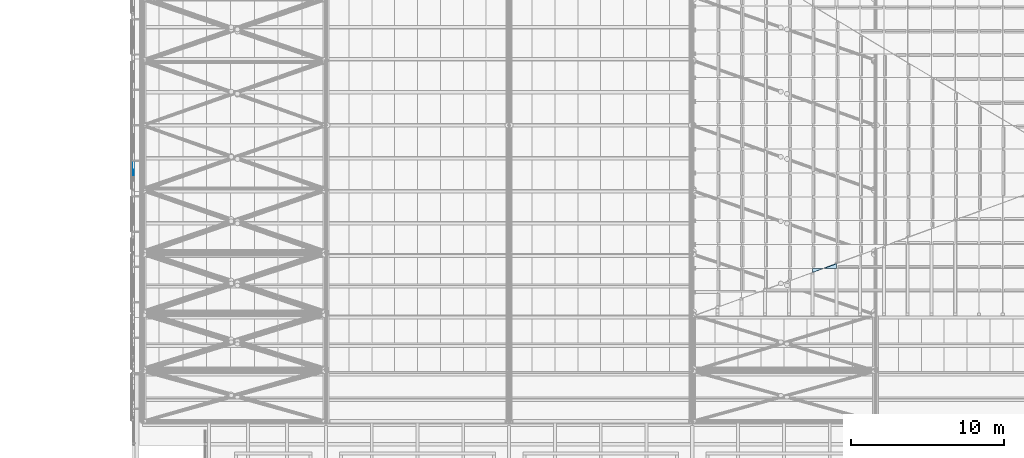
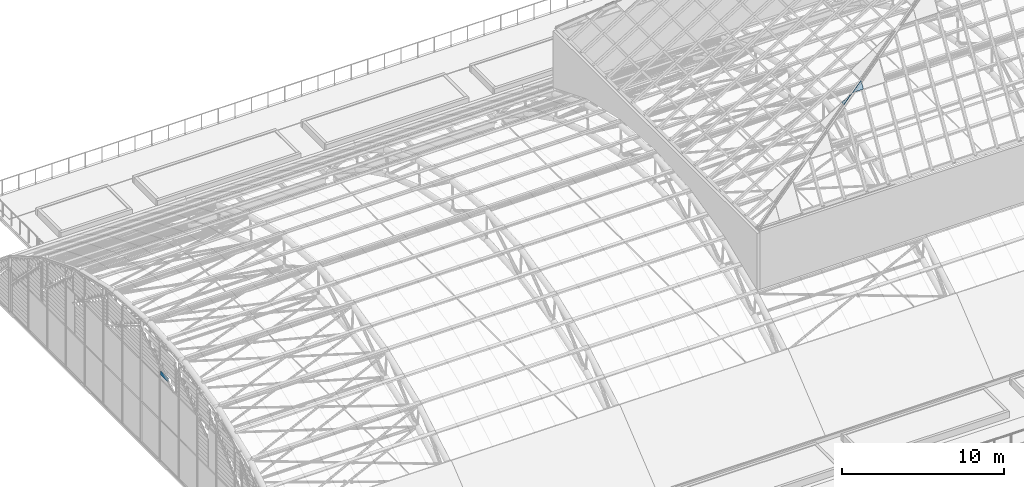
# One storey, part 71 of 110: 3 plates, 1 element without a shape of its own.
"""IFC4 building model written with IfcOpenShell, lengths in metres."""

from ifc_helpers import new_model, si_unit, direction, frame, origin, place, context, subcontext, project, spatial, polyline, outline, extrude, material, layer, layer_set, type_object, element, aggregate, save


model = new_model("IFC4")

# Units and contexts
model_context = context("Model", 3, precision=1e-05, world=origin(), true_north=direction((0.0, 1.0)))
body_context = subcontext(model_context, "Body", "Model", "MODEL_VIEW")
ifc_project = project(units=[si_unit("LENGTHUNIT", "METRE"), si_unit("AREAUNIT", "SQUARE_METRE"), si_unit("VOLUMEUNIT", "CUBIC_METRE"), si_unit("PLANEANGLEUNIT", "RADIAN"), si_unit("MASSUNIT", "GRAM", prefix="KILO")], contexts=[model_context])

# Site, building, storey
site_placement = place(None, origin())
site = spatial("IfcSite", under=ifc_project, at=site_placement, CompositionType="ELEMENT")
building_placement = place(site_placement, origin())
building = spatial("IfcBuilding", under=site, at=building_placement, Name="Windward Yard Aquatics Centre", CompositionType="ELEMENT")
storey_placement = place(building_placement, frame((0.0, 0.0, 22.60009765625)))
storey = spatial("IfcBuildingStorey", under=building, at=storey_placement, Name="L05", CompositionType="ELEMENT", Elevation=22.60009765625)

# Curtain wall, plate
ifc_material_1 = material(Name="Glass and aluminium curtain wall", Category="aluminium")
ifc_layer_1 = layer(ifc_material_1, 0.179931640625)
ifc_layer_set_1 = layer_set([ifc_layer_1], Name="H gable glazing system double glazed 8+16+8")
curtain_wall_type = type_object("IfcCurtainWallType", Name="H gable glazing system double glazed 8+16+8", PredefinedType="NOTDEFINED", material=ifc_layer_set_1)
curtain_wall_placement = place(storey_placement, origin())
curtain_wall = element("IfcCurtainWall", 1, at=curtain_wall_placement, inside=storey, type_object=curtain_wall_type, Name="Gable glazing W", PredefinedType="NOTDEFINED")
ifc_material_2 = material(Name="Low-iron glass", Category="glass")
ifc_layer_2 = layer(ifc_material_2, 0.008, Name="Outer pane")
ifc_material_3 = material(Name="Argon-filled cavity")
ifc_layer_3 = layer(ifc_material_3, 0.016, Name="Cavity")
ifc_layer_4 = layer(ifc_material_2, 0.008, Name="Inner pane")
ifc_layer_set_2 = layer_set([ifc_layer_2, ifc_layer_3, ifc_layer_4], Name="H gable glass low-e double glazed unit 32")
plate_type_1 = type_object("IfcPlateType", Name="H gable glass low-e double glazed unit 32", PredefinedType="CURTAIN_PANEL", material=ifc_layer_set_2)
plate_1_placement = place(storey_placement, frame((59.426025390625, 57.720703125, 6.525634765625), z_axis=(1.0, 0.0, 0.0), x_axis=(0.0, 1.0, 0.0)))
plate_1 = element("IfcPlate", 2, at=plate_1_placement, type_object=plate_type_1, Name="Gable panel 8.3b", PredefinedType="CURTAIN_PANEL", context=body_context, shape_type="SweptSolid", body=[
    extrude(outline(polyline([(0.0, 0.0), (0.92749, 0.0), (0.92749, 0.275146), (0.0, 0.275146), (0.0, 0.0)])), origin(), (0.0, 0.0, -1.0), 0.031982421875),
])
aggregate(curtain_wall, [plate_1])

# Plates
ifc_material_4 = material(Name="Laminated low-e glass", Category="glass")
ifc_layer_5 = layer(ifc_material_4, 0.035888671875)
ifc_layer_set_3 = layer_set([ifc_layer_5], Name="H lantern glass laminated low-e 36")
plate_type_2 = type_object("IfcPlateType", Name="H lantern glass laminated low-e 36", PredefinedType="SHEET", material=ifc_layer_set_3)
plate_2_placement = place(storey_placement, frame((104.64453125, 51.636962890625, 16.16552734375), z_axis=(0.0, -0.860137804943, 0.510061718331), x_axis=(0.812265394465, 0.297512896181, 0.501708087996)))
element("IfcPlate", 3, at=plate_2_placement, inside=storey, type_object=plate_type_2, Name="H.LN.G.01.075", PredefinedType="SHEET", context=body_context, shape_type="SweptSolid", body=[
    extrude(outline(polyline([(0.0, 0.0), (0.973238, 0.0), (0.642118, -0.461105), (0.0, 0.0)])), origin(), (0.0, 0.0, -1.0), 0.035888671875),
])
plate_3_placement = place(storey_placement, frame((103.88671875, 51.36767578125, 15.70458984375), z_axis=(-0.525592121612, 0.0, 0.850736693519), x_axis=(0.0, 1.0, 0.0)))
element("IfcPlate", 4, at=plate_3_placement, inside=storey, type_object=plate_type_2, Name="H.LN.G.04.009", PredefinedType="SHEET", context=body_context, shape_type="SweptSolid", body=[
    extrude(outline(polyline([(0.0, 0.0), (0.26123, 0.0), (0.26123, -0.837969), (0.0, 0.0)])), origin(), (0.0, 0.0, -1.0), 0.035888671875),
])

save(model, "model.ifc")
